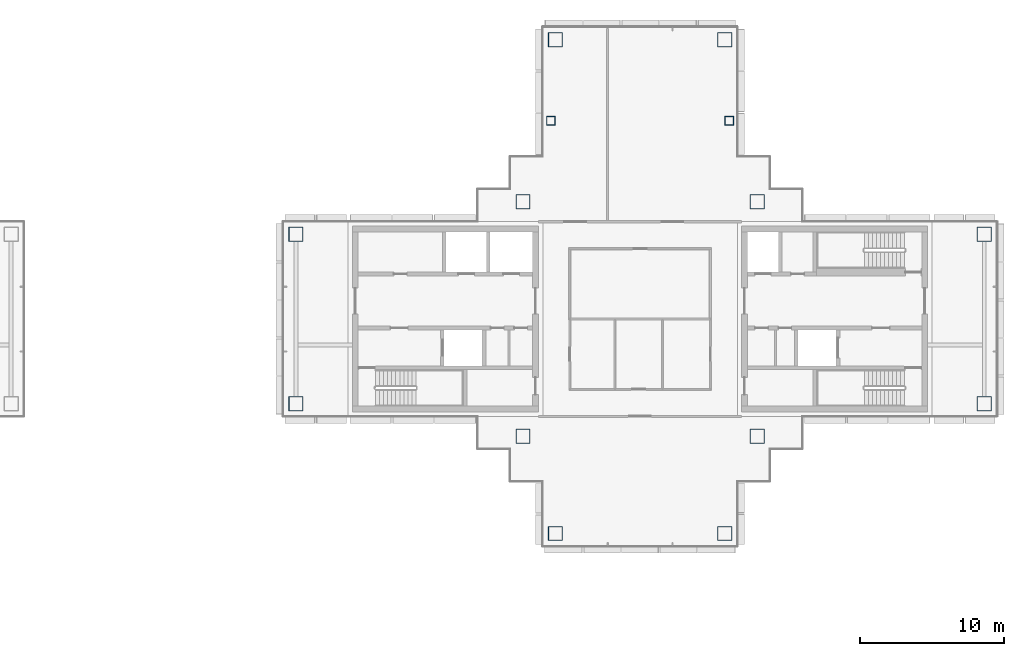
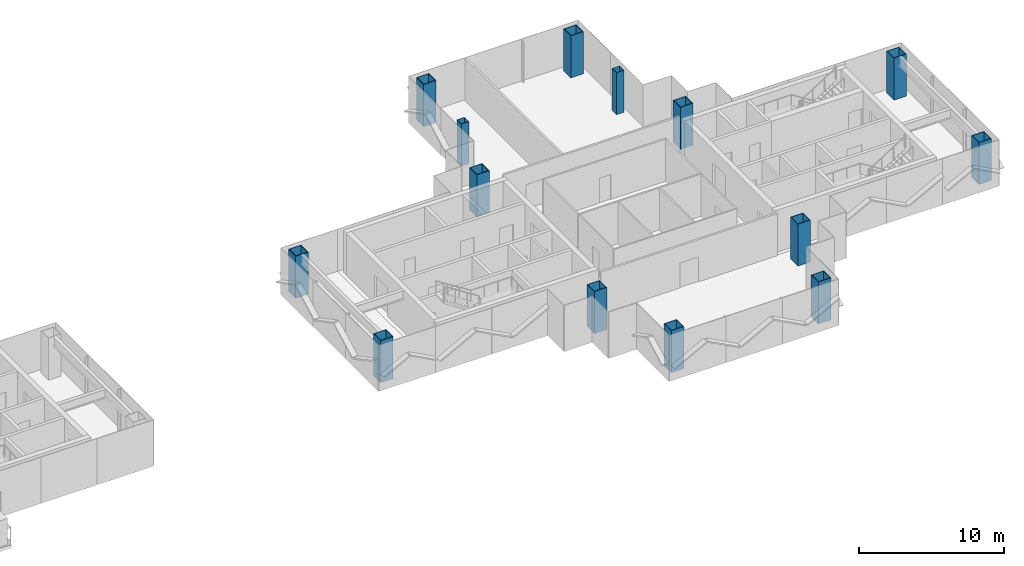
# One storey, part 2 of 17: 14 columns.
"""IFC4 building model written with IfcOpenShell, lengths in metres."""

from ifc_helpers import new_model, si_unit, direction, frame, origin, origin_2d, place, context, subcontext, project, spatial, hollow_rectangle, extrude, material, material_profile, profile_set, type_object, element, save


model = new_model("IFC4")

# Units and contexts
model_context = context("Model", 3, precision=1e-05, world=origin(), true_north=direction((0.0, 1.0)))
body_context = subcontext(model_context, "Body", "Model", "MODEL_VIEW")
ifc_project = project(units=[si_unit("LENGTHUNIT", "METRE"), si_unit("AREAUNIT", "SQUARE_METRE"), si_unit("VOLUMEUNIT", "CUBIC_METRE"), si_unit("PLANEANGLEUNIT", "RADIAN"), si_unit("MASSUNIT", "GRAM", prefix="KILO")], contexts=[model_context])

# Site, building, storey
site_placement = place(None, origin())
site = spatial("IfcSite", under=ifc_project, at=site_placement, CompositionType="ELEMENT")
building_placement = place(site_placement, origin())
building = spatial("IfcBuilding", under=site, at=building_placement, Name="Shamsa Quay Exchange Towers", CompositionType="ELEMENT")
storey_placement = place(building_placement, frame((0.0, 0.0, 217.800048828125)))
storey = spatial("IfcBuildingStorey", under=building, at=storey_placement, Name="L52", CompositionType="ELEMENT", Elevation=217.800048828125)

# Columns
ifc_material_1 = material(Name="Concrete-filled steel tube S355 / C80/95", Category="concrete")
ifc_material_profile_1 = material_profile(ifc_material_1, hollow_rectangle(XDim=1.0, YDim=1.0, WallThickness=0.0400390625, at=origin_2d()), Name="CFT 1000x1000x40")
ifc_profile_set_1 = profile_set([ifc_material_profile_1], Name="Concrete-filled steel tube S355 / C80/95")
column_type_1 = type_object("IfcColumnType", Name="Column CFT 1000x1000x40", PredefinedType="COLUMN", material=ifc_profile_set_1)
for number, where, name in (
    (1, (25.625, 8.125, 0.0), "Mega column T2-CM01"),
    (2, (41.875, 8.125, 0.0), "Mega column T2-CM02"),
    (3, (25.625, -8.125, 0.0), "Mega column T2-CM03"),
    (4, (41.875, -8.125, 0.0), "Mega column T2-CM04"),
    (5, (39.625, 19.375, 0.0), "Mega column T2-CM06"),
    (6, (27.875, 19.375, 0.0), "Mega column T2-CM10"),
    (7, (39.625, -14.875, 0.0), "Mega column T2-CM13"),
    (8, (27.875, -14.875, 0.0), "Mega column T2-CM16"),
    (9, (9.875, -5.875, 0.0), "Mega column T2-CM19"),
    (10, (9.875, 5.875, 0.0), "Mega column T2-CM20"),
    (11, (57.625, -5.875, 0.0), "Mega column T2-CM21"),
    (12, (57.625, 5.875, 0.0), "Mega column T2-CM23"),
):
    element("IfcColumn", number, at=place(storey_placement, frame(where)), inside=storey, type_object=column_type_1, Name=name, PredefinedType="COLUMN", context=body_context, shape_type="SweptSolid", body=[
        extrude(hollow_rectangle(XDim=1.0, YDim=1.0, WallThickness=0.0400390625, at=origin_2d()), origin(), (0.0, 0.0, 1.0), 3.550048828125),
    ])
ifc_material_2 = material(Name="Concrete-filled steel tube S355 / C60/75", Category="concrete")
ifc_material_profile_2 = material_profile(ifc_material_2, hollow_rectangle(XDim=0.60009765625, YDim=0.60009765625, WallThickness=0.02001953125, at=origin_2d()), Name="CFT 600x600x20")
ifc_profile_set_2 = profile_set([ifc_material_profile_2], Name="Concrete-filled steel tube S355 / C60/75")
column_type_2 = type_object("IfcColumnType", Name="Column CFT 600x600x20", PredefinedType="COLUMN", material=ifc_profile_set_2)
for number, where, name in (
    (13, (39.9375, 13.75, 0.0), "Perimeter column T2-CP05"),
    (14, (27.5625, 13.75, 0.0), "Perimeter column T2-CP09"),
):
    element("IfcColumn", number, at=place(storey_placement, frame(where)), inside=storey, type_object=column_type_2, Name=name, PredefinedType="COLUMN", context=body_context, shape_type="SweptSolid", body=[
        extrude(hollow_rectangle(XDim=0.60009765625, YDim=0.60009765625, WallThickness=0.02001953125, at=origin_2d()), origin(), (0.0, 0.0, 1.0), 3.550048828125),
    ])

save(model, "model.ifc")
